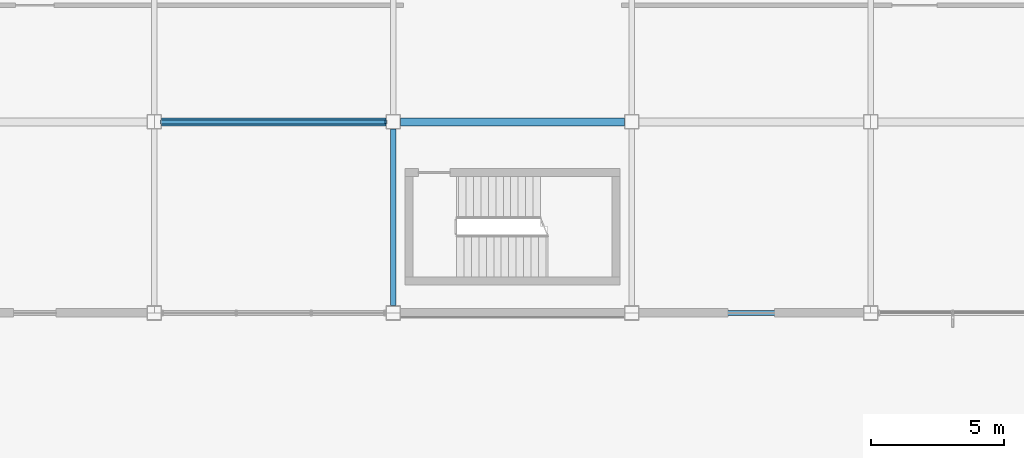
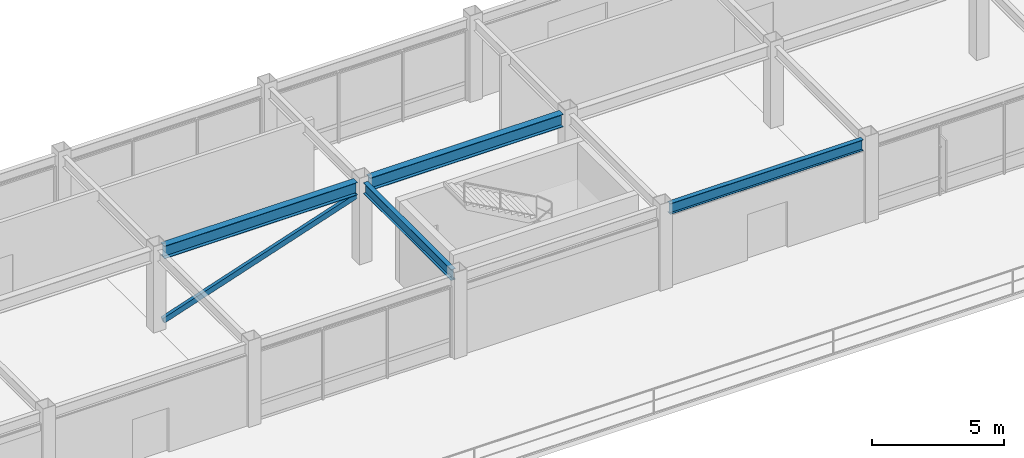
# One storey, part 37 of 122: 4 beams, 1 member.
"""IFC4 building model written with IfcOpenShell, lengths in metres."""

import ifcopenshell
import ifcopenshell.guid

model = None  # the IFC model being written
_history = None  # IfcOwnerHistory: only IFC2X3 demands one
_inside = {}  # id of a spatial element -> (the spatial element, [elements in it])
_under = {}  # id of a project, library or spatial element -> (it, [spatial elements below it])
_declared = {}  # id of a project -> (the project, [libraries it declares])
_typed = {}  # id of a type object -> (the type object, [elements of that type])
_made_of = {}  # id of a material, layer set ... -> (it, [elements and type objects made of it])


def new_model(schema):
    """Start an empty IFC model of exactly this schema.

    Asked for "IFC4X3", IfcOpenShell would pick the latest addendum, in which some entities
    have other attributes; the version numbers below select the first issue.
    IFC2X3 requires an IfcOwnerHistory on every rooted entity: one is made here for all.
    """
    global model, _history
    if schema == "IFC4X3":
        model = ifcopenshell.file(schema_version=(4, 3, 0, 0))
    else:
        model = ifcopenshell.file(schema=schema)
    _inside.clear()
    _under.clear()
    _declared.clear()
    _typed.clear()
    _made_of.clear()
    _history = None
    if model.schema == "IFC2X3":
        org = make("IfcOrganization", Name="unknown")
        user = make(
            "IfcPersonAndOrganization",
            ThePerson=make("IfcPerson", FamilyName="unknown"),
            TheOrganization=org,
        )
        app = make(
            "IfcApplication",
            ApplicationDeveloper=org,
            Version="unknown",
            ApplicationFullName="unknown",
            ApplicationIdentifier="unknown",
        )
        _history = make(
            "IfcOwnerHistory",
            OwningUser=user,
            OwningApplication=app,
            ChangeAction="ADDED",
            CreationDate=0,
        )
    return model


def make(cls, **values):
    """One entity of the class cls with the attributes given. An attribute that is None is left unset."""
    return model.create_entity(
        cls, **{name: value for name, value in values.items() if value is not None}
    )


def rooted(cls, **values):
    """An entity with a GlobalId (a new one), such as an element, a storey or a relation."""
    return make(cls, GlobalId=ifcopenshell.guid.new(), OwnerHistory=_history, **values)


def si_unit(unit_type, name, prefix=None):
    """IfcSIUnit, for example si_unit("LENGTHUNIT", "METRE", prefix="MILLI")."""
    return make("IfcSIUnit", UnitType=unit_type, Prefix=prefix, Name=name)


def assignment(units):
    """IfcUnitAssignment: the units of a project."""
    return None if units is None else make("IfcUnitAssignment", Units=units)


def point(xyz):
    """IfcCartesianPoint."""
    return None if xyz is None else make("IfcCartesianPoint", Coordinates=xyz)


def direction(xyz):
    """IfcDirection."""
    return None if xyz is None else make("IfcDirection", DirectionRatios=xyz)


def frame(location, z_axis=None, x_axis=None):
    """IfcAxis2Placement3D, a coordinate frame: its origin and axes. An axis left out is left unset."""
    return make(
        "IfcAxis2Placement3D",
        Location=point(location),
        Axis=direction(z_axis),
        RefDirection=direction(x_axis),
    )


def frame_2d(location, x_axis=None):
    """IfcAxis2Placement2D, a coordinate frame in the plane: its origin and x axis."""
    return make(
        "IfcAxis2Placement2D", Location=point(location), RefDirection=direction(x_axis)
    )


def origin():
    """The frame at (0, 0, 0) with its axes left unset."""
    return frame((0.0, 0.0, 0.0))


def origin_2d():
    """The frame at (0, 0) in the plane with its x axis left unset."""
    return frame_2d((0.0, 0.0))


def place(relative_to, where):
    """IfcLocalPlacement: puts the frame where relative to a parent placement (None: the world)."""
    return make(
        "IfcLocalPlacement", PlacementRelTo=relative_to, RelativePlacement=where
    )


def context(
    kind, dimensions, precision=None, world=None, true_north=None, identifier=None
):
    """IfcGeometricRepresentationContext, for example the 3D "Model" context."""
    return make(
        "IfcGeometricRepresentationContext",
        ContextIdentifier=identifier,
        ContextType=kind,
        CoordinateSpaceDimension=dimensions,
        Precision=precision,
        WorldCoordinateSystem=world,
        TrueNorth=true_north,
    )


def subcontext(parent, identifier, kind, view, scale=None):
    """IfcGeometricRepresentationSubContext, for example "Body" below "Model"."""
    return make(
        "IfcGeometricRepresentationSubContext",
        ContextIdentifier=identifier,
        ContextType=kind,
        ParentContext=parent,
        TargetScale=scale,
        TargetView=view,
    )


def project(units=None, contexts=None):
    """IfcProject with its units and contexts."""
    return rooted(
        "IfcProject",
        Name="project",
        RepresentationContexts=contexts,
        UnitsInContext=assignment(units),
    )


def spatial(cls, under=None, at=None, **own):
    """A site, building, storey or space (cls), placed at a placement, below another one or the project."""
    s = rooted(cls, ObjectPlacement=at, **own)
    if under is not None:
        _under.setdefault(under.id(), (under, []))[1].append(s)
    return s


def profile(cls, at=None, kind="AREA", **sizes):
    """A parametric profile (cls). Its sizes go by their IFC names, for example OverallWidth=200.0."""
    return make(cls, ProfileType=kind, Position=at, **sizes)


def hollow_rectangle(**sizes):
    """IfcRectangleHollowProfileDef."""
    return profile("IfcRectangleHollowProfileDef", **sizes)


def i_section(**sizes):
    """IfcIShapeProfileDef."""
    return profile("IfcIShapeProfileDef", **sizes)


def extrude(swept, where, along, depth):
    """IfcExtrudedAreaSolid: the profile swept, set in the frame where, extruded along a direction by depth."""
    return make(
        "IfcExtrudedAreaSolid",
        SweptArea=swept,
        Position=where,
        ExtrudedDirection=direction(along),
        Depth=depth,
    )


def shape(context_of_items, identifier, shape_type, items):
    """IfcShapeRepresentation: the items that make up one representation, for example the "Body"."""
    return make(
        "IfcShapeRepresentation",
        ContextOfItems=context_of_items,
        RepresentationIdentifier=identifier,
        RepresentationType=shape_type,
        Items=items,
    )


def material(Name=None, Category=None):
    """IfcMaterial."""
    return make("IfcMaterial", Name=Name, Category=Category)


def material_profile(
    of_material, cross_section, Name=None, Category=None, Priority=None
):
    """IfcMaterialProfile: a cross section and its material."""
    return make(
        "IfcMaterialProfile",
        Name=Name,
        Material=of_material,
        Profile=cross_section,
        Priority=Priority,
        Category=Category,
    )


def profile_set(profiles, Name=None, composite=None):
    """IfcMaterialProfileSet."""
    return make(
        "IfcMaterialProfileSet",
        Name=Name,
        MaterialProfiles=profiles,
        CompositeProfile=composite,
    )


def made_of(thing, what):
    """Note that an element or type object is made of a material, layer set ...; save() writes the relation."""
    if what is not None:
        _made_of.setdefault(what.id(), (what, []))[1].append(thing)
    return thing


def type_object(cls, material=None, **own):
    """A type object (cls), such as IfcWallType, which elements share."""
    return made_of(rooted(cls, **own), material)


def element(
    cls,
    number,
    at=None,
    inside=None,
    cuts=None,
    type_object=None,
    material=None,
    context=None,
    identifier="Body",
    shape_type=None,
    held_by="IfcProductDefinitionShape",
    body=None,
    shapes=None,
    **own,
):
    """One element of the class cls, such as IfcWall. Its Tag is "e" and its number.

    at: its placement. inside: the storey or other place that contains it. cuts: it is an
    opening in that element (IfcRelVoidsElement). A single representation is given by context,
    identifier, shape_type and body (its items); several are given by shapes. held_by: the class
    of the entity that holds the representations. save() writes the other relations.
    """
    e = rooted(cls, Tag="e%d" % number, ObjectPlacement=at, **own)
    if body is not None:
        shapes = [shape(context, identifier, shape_type, body)]
    if shapes is not None:
        e.Representation = make(held_by, Representations=shapes)
    if inside is not None:
        _inside.setdefault(inside.id(), (inside, []))[1].append(e)
    if cuts is not None:
        rooted(
            "IfcRelVoidsElement", RelatingBuildingElement=cuts, RelatedOpeningElement=e
        )
    if type_object is not None:
        _typed.setdefault(type_object.id(), (type_object, []))[1].append(e)
    return made_of(e, material)


def aggregate(whole, parts):
    """IfcRelAggregates: a whole, such as a stair, and the parts it consists of."""
    return rooted("IfcRelAggregates", RelatingObject=whole, RelatedObjects=parts)


def save(model, path):
    """Write the relations noted so far, then the file.

    IfcRelAggregates (storeys below a building ...), IfcRelContainedInSpatialStructure (elements
    in a storey), IfcRelDefinesByType, IfcRelAssociatesMaterial and IfcRelDeclares: one each for
    every whole, place, type object, material and project.
    """
    for whole, parts in _under.values():
        aggregate(whole, parts)
    for where, things in _inside.values():
        rooted(
            "IfcRelContainedInSpatialStructure",
            RelatedElements=things,
            RelatingStructure=where,
        )
    for kind, things in _typed.values():
        rooted("IfcRelDefinesByType", RelatedObjects=things, RelatingType=kind)
    for what, things in _made_of.values():
        rooted("IfcRelAssociatesMaterial", RelatedObjects=things, RelatingMaterial=what)
    for by, libraries in _declared.values():
        rooted("IfcRelDeclares", RelatingContext=by, RelatedDefinitions=libraries)
    model.write(path)


model = new_model("IFC4")

# Units and contexts
model_context = context("Model", 3, precision=1e-05, world=origin(), true_north=direction((0.0, 1.0)))
body_context = subcontext(model_context, "Body", "Model", "MODEL_VIEW")
ifc_project = project(units=[si_unit("LENGTHUNIT", "METRE"), si_unit("AREAUNIT", "SQUARE_METRE"), si_unit("VOLUMEUNIT", "CUBIC_METRE"), si_unit("PLANEANGLEUNIT", "RADIAN"), si_unit("MASSUNIT", "GRAM", prefix="KILO")], contexts=[model_context])

# Site, building, storey
site_placement = place(None, origin())
site = spatial("IfcSite", under=ifc_project, at=site_placement, CompositionType="ELEMENT")
building_placement = place(site_placement, origin())
building = spatial("IfcBuilding", under=site, at=building_placement, Name="Kazanami Central Library", CompositionType="ELEMENT")
storey_placement = place(building_placement, frame((0.0, 0.0, 4.800048828125)))
storey = spatial("IfcBuildingStorey", under=building, at=storey_placement, Name="L02", CompositionType="ELEMENT", Elevation=4.800048828125)

# Beams
ifc_material_1 = material(Name="Steel SN490B (325 MPa)", Category="steel")
ifc_material_profile_1 = material_profile(ifc_material_1, i_section(OverallWidth=0.300048828125, OverallDepth=0.587890625, WebThickness=0.011962890625, FlangeThickness=0.02001953125, at=origin_2d()), Name="H-588x300x12x20")
ifc_profile_set_1 = profile_set([ifc_material_profile_1], Name="Steel SN490B (325 MPa)")
beam_type_1 = type_object("IfcBeamType", Name="BM-G-X2", PredefinedType="BEAM", material=ifc_profile_set_1)
for number, where, z_axis, x_axis, name in (
    (1, (63.27294921875, 28.800048828125, 3.4609375), (1.0, 0.0, 0.0), (0.0, 1.0, 0.0), "Girder G-X2 L02 E/8-9"),
    (2, (72.27294921875, 28.800048828125, 3.4609375), (1.0, 0.0, 0.0), (0.0, 1.0, 0.0), "Girder G-X2 L02 E/9-10"),
):
    element("IfcBeam", number, at=place(storey_placement, frame(where, z_axis=z_axis, x_axis=x_axis)), inside=storey, type_object=beam_type_1, Name=name, PredefinedType="BEAM", context=body_context, shape_type="SweptSolid", body=[
        extrude(i_section(OverallWidth=0.300048828125, OverallDepth=0.587890625, WebThickness=0.011962890625, FlangeThickness=0.02001953125, at=origin_2d()), origin(), (0.0, 0.0, 1.0), 8.4541015625),
    ])
ifc_material_profile_2 = material_profile(ifc_material_1, i_section(OverallWidth=0.199951171875, OverallDepth=0.5, WebThickness=0.010009765625, FlangeThickness=0.01611328125, at=origin_2d()), Name="H-500x200x10x16")
ifc_profile_set_2 = profile_set([ifc_material_profile_2], Name="Steel SN490B (325 MPa)")
beam_type_2 = type_object("IfcBeamType", Name="BM-G-Y2", PredefinedType="BEAM", material=ifc_profile_set_2)
beam_1_placement = place(storey_placement, frame((72.0, 21.873046875, 3.5048828125), z_axis=(0.0, 1.0, 0.0), x_axis=(-1.0, 0.0, 0.0)))
element("IfcBeam", 3, at=beam_1_placement, inside=storey, type_object=beam_type_2, Name="Girder G-Y2 L02 9/D-E", PredefinedType="BEAM", context=body_context, shape_type="SweptSolid", body=[
    extrude(i_section(OverallWidth=0.199951171875, OverallDepth=0.5, WebThickness=0.010009765625, FlangeThickness=0.01611328125, at=origin_2d()), origin(), (0.0, 0.0, 1.0), 6.654052734375),
])
ifc_material_profile_3 = material_profile(ifc_material_1, i_section(OverallWidth=0.199951171875, OverallDepth=0.5, WebThickness=0.010009765625, FlangeThickness=0.01611328125, at=origin_2d()), Name="H-500x200x10x16")
ifc_profile_set_3 = profile_set([ifc_material_profile_3], Name="Steel SN490B (325 MPa)")
beam_type_3 = type_object("IfcBeamType", Name="BM-SP-1", PredefinedType="SPANDREL", material=ifc_profile_set_3)
beam_2_placement = place(storey_placement, frame((81.27294921875, 21.60009765625, 3.5048828125), z_axis=(1.0, 0.0, 0.0), x_axis=(0.0, 1.0, 0.0)))
element("IfcBeam", 4, at=beam_2_placement, inside=storey, type_object=beam_type_3, Name="Girder SP-1 L02 D/10-11", PredefinedType="SPANDREL", context=body_context, shape_type="SweptSolid", body=[
    extrude(i_section(OverallWidth=0.199951171875, OverallDepth=0.5, WebThickness=0.010009765625, FlangeThickness=0.01611328125, at=origin_2d()), origin(), (0.0, 0.0, 1.0), 8.4541015625),
])

# Member
ifc_material_2 = material(Name="Steel STK490 (315 MPa)", Category="steel")
ifc_material_profile_4 = material_profile(ifc_material_2, hollow_rectangle(XDim=0.14990234375, YDim=0.25, WallThickness=0.009033203125, at=origin_2d()), Name="STKR-250x150x9")
ifc_profile_set_4 = profile_set([ifc_material_profile_4], Name="Steel STK490 (315 MPa)")
member_type = type_object("IfcMemberType", Name="MEM-BR-09", PredefinedType="BRACE", material=ifc_profile_set_4)
member_placement = place(storey_placement, frame((63.27490234375, 28.800048828125, 0.25), z_axis=(0.948406183838, 0.0, 0.317057897642), x_axis=(0.0, 1.0, 0.0)))
element("IfcMember", 5, at=member_placement, inside=storey, type_object=member_type, Name="Concentric Steel Brace BR-09 L02 BF-V1C", PredefinedType="BRACE", context=body_context, shape_type="SweptSolid", body=[
    extrude(hollow_rectangle(XDim=0.14990234375, YDim=0.25, WallThickness=0.009033203125, at=origin_2d()), origin(), (0.0, 0.0, 1.0), 8.909912109375),
])

save(model, "model.ifc")
